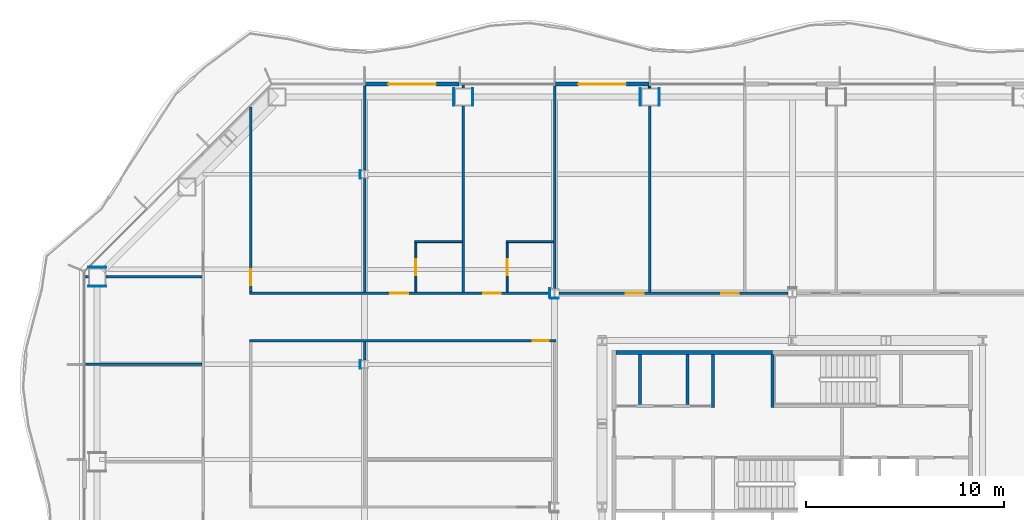
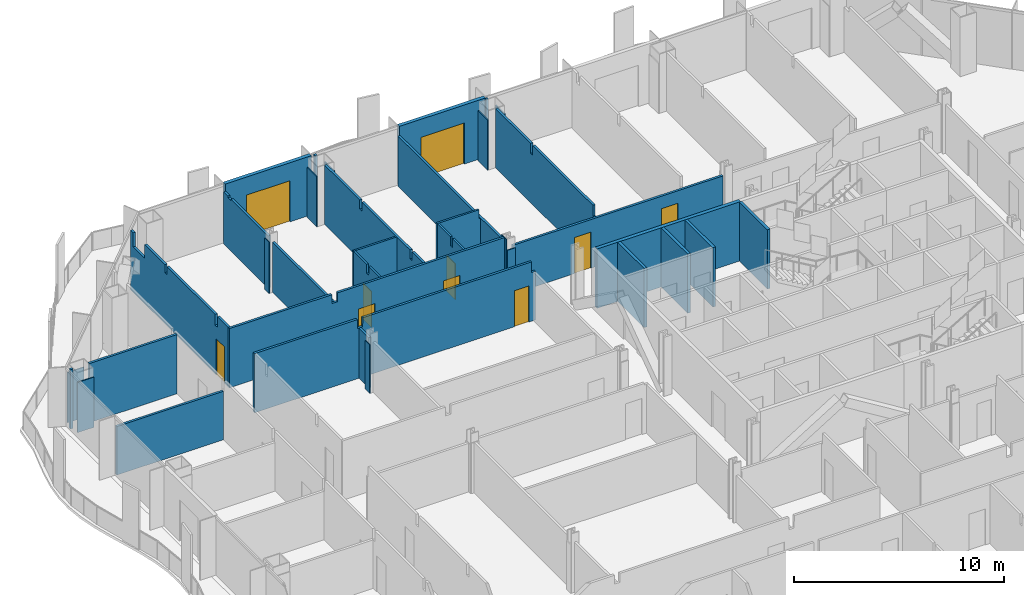
# One storey, part 12 of 18: 36 walls, 10 doors, 10 openings.
"""IFC4 building model written with IfcOpenShell, lengths in metres."""

from ifc_helpers import new_model, si_unit, direction, frame, frame_2d, origin, place, context, subcontext, project, spatial, polyline, rectangle, outline, extrude, material, layer, layer_set, type_object, element, fill, save


model = new_model("IFC4")

# Units and contexts
model_context = context("Model", 3, precision=1e-05, world=origin(), true_north=direction((0.0, 1.0)))
body_context = subcontext(model_context, "Body", "Model", "MODEL_VIEW")
ifc_project = project(units=[si_unit("LENGTHUNIT", "METRE"), si_unit("AREAUNIT", "SQUARE_METRE"), si_unit("VOLUMEUNIT", "CUBIC_METRE"), si_unit("PLANEANGLEUNIT", "RADIAN"), si_unit("MASSUNIT", "GRAM", prefix="KILO")], contexts=[model_context])

# Site, building, storey
site_placement = place(None, origin())
site = spatial("IfcSite", under=ifc_project, at=site_placement, CompositionType="ELEMENT")
building_placement = place(site_placement, origin())
building = spatial("IfcBuilding", under=site, at=building_placement, Name="Cairn Pilgrim Tower", CompositionType="ELEMENT")
storey_placement = place(building_placement, frame((0.0, 0.0, 65.39990234375)))
storey = spatial("IfcBuildingStorey", under=building, at=storey_placement, Name="L14", CompositionType="ELEMENT", Elevation=65.39990234375)

# Wall, opening, door
ifc_material_1 = material(Name="Bronze anodised aluminium insulated sandwich panel with mineral wool fill", Category="aluminium")
ifc_layer_1 = layer(ifc_material_1, 0.199951171875)
ifc_layer_set_1 = layer_set([ifc_layer_1], Name="BRONZE INFILL FRAME WALL 200")
wall_type_1 = type_object("IfcWallType", Name="BRONZE INFILL FRAME WALL 200", PredefinedType="NOTDEFINED", material=ifc_layer_set_1)
wall_1_placement = place(storey_placement, frame((-0.030029296875, 23.75, 0.0), z_axis=(0.0, 0.0, 1.0), x_axis=(-1.0, 0.0, 0.0)))
wall_1 = element("IfcWall", 1, at=wall_1_placement, inside=storey, type_object=wall_type_1, Name="Bronze infill frame wall IW-N5", PredefinedType="NOTDEFINED", context=body_context, shape_type="SweptSolid", body=[
    extrude(rectangle(XDim=4.739990234375, YDim=0.199951171875, at=frame_2d((2.3701171875, 0.0))), origin(), (0.0, 0.0, 1.0), 3.4501953125),
])
opening_1_placement = place(wall_1_placement, frame((1.169921875, 0.0, 0.0)))
opening_1 = element("IfcOpeningElement", 2, at=opening_1_placement, cuts=wall_1, Name="Opening 1418B", PredefinedType="OPENING", context=body_context, shape_type="SweptSolid", body=[
    extrude(rectangle(XDim=2.39990234375, YDim=2.39990234375, at=frame_2d((1.199951171875, 1.199951171875))), frame((0.0, 0.10986328125, 0.0), z_axis=(0.0, -1.0, 0.0), x_axis=(1.0, 0.0, 0.0)), (0.0, 0.0, 1.0), 0.219970703125),
])
ifc_material_2 = material(Name="Bronze anodised aluminium frame with tinted low-E glass", Category="aluminium")
door_type_1 = type_object("IfcDoorType", Name="BALCONY SLIDING DOOR 2400x2400", OperationType="DOUBLE_DOOR_SLIDING", PredefinedType="DOOR", material=ifc_material_2)
door_1_placement = place(opening_1_placement, origin())
door_1 = element("IfcDoor", 3, at=door_1_placement, inside=storey, type_object=door_type_1, Name="Balcony sliding door 1418B", OperationType="SINGLE_SWING_LEFT", OverallHeight=2.39990234375, OverallWidth=2.39990234375, PredefinedType="DOOR", context=body_context, shape_type="SweptSolid", body=[
    extrude(rectangle(XDim=2.39990234375, YDim=2.39990234375, at=frame_2d((1.199951171875, 1.199951171875))), frame((0.0, 0.02490234375, 0.0), z_axis=(0.0, -1.0, 0.0), x_axis=(1.0, 0.0, 0.0)), (0.0, 0.0, 1.0), 0.050048828125),
])
fill(opening_1, door_1)

wall_2_placement = place(storey_placement, frame((-9.6298828125, 23.75, 0.0), z_axis=(0.0, 0.0, 1.0), x_axis=(-1.0, 0.0, 0.0)))
wall_2 = element("IfcWall", 4, at=wall_2_placement, inside=storey, type_object=wall_type_1, Name="Bronze infill frame wall IW-N7", PredefinedType="NOTDEFINED", context=body_context, shape_type="SweptSolid", body=[
    extrude(rectangle(XDim=4.740234375, YDim=0.199951171875, at=frame_2d((2.3701171875, 0.0))), origin(), (0.0, 0.0, 1.0), 3.4501953125),
])
opening_2_placement = place(wall_2_placement, frame((1.169921875, 0.0, 0.0)))
opening_2 = element("IfcOpeningElement", 5, at=opening_2_placement, cuts=wall_2, Name="Opening 1416B", PredefinedType="OPENING", context=body_context, shape_type="SweptSolid", body=[
    extrude(rectangle(XDim=2.39990234375, YDim=2.39990234375, at=frame_2d((1.199951171875, 1.199951171875))), frame((0.0, 0.10986328125, 0.0), z_axis=(0.0, -1.0, 0.0), x_axis=(1.0, 0.0, 0.0)), (0.0, 0.0, 1.0), 0.219970703125),
])
door_2_placement = place(opening_2_placement, origin())
door_2 = element("IfcDoor", 6, at=door_2_placement, inside=storey, type_object=door_type_1, Name="Balcony sliding door 1416B", OperationType="SINGLE_SWING_LEFT", OverallHeight=2.39990234375, OverallWidth=2.39990234375, PredefinedType="DOOR", context=body_context, shape_type="SweptSolid", body=[
    extrude(rectangle(XDim=2.39990234375, YDim=2.39990234375, at=frame_2d((1.199951171875, 1.199951171875))), frame((0.0, 0.02490234375, 0.0), z_axis=(0.0, -1.0, 0.0), x_axis=(1.0, 0.0, 0.0)), (0.0, 0.0, 1.0), 0.050048828125),
])
fill(opening_2, door_2)

# Walls
ifc_material_3 = material(Name="Concrete C32/40", Category="concrete")
ifc_layer_2 = layer(ifc_material_3, 0.199951171875)
ifc_layer_set_2 = layer_set([ifc_layer_2], Name="CORE OUTER WALL 200 EI 120")
wall_type_2 = type_object("IfcWallType", Name="CORE OUTER WALL 200 EI 120", PredefinedType="SOLIDWALL", material=ifc_layer_set_2)
wall_3_placement = place(storey_placement, frame((-1.699951171875, 10.199951171875, 0.0), z_axis=(0.0, 0.0, 1.0), x_axis=(1.0, 0.0, 0.0)))
element("IfcWall", 7, at=wall_3_placement, inside=storey, type_object=wall_type_2, Name="CW:L14:H11-1", PredefinedType="SOLIDWALL", context=body_context, shape_type="SweptSolid", body=[
    extrude(rectangle(XDim=7.89990234375, YDim=0.199951171875, at=frame_2d((3.949951171875, 0.0))), origin(), (0.0, 0.0, 1.0), 3.4501953125),
])
ifc_layer_3 = layer(ifc_material_3, 0.14990234375)
ifc_layer_set_3 = layer_set([ifc_layer_3], Name="CORE PARTITION 150 EI 60")
wall_type_3 = type_object("IfcWallType", Name="CORE PARTITION 150 EI 60", PredefinedType="PARTITIONING", material=ifc_layer_set_3)
for number, where, z_axis, x_axis, name in (
    (8, (-0.5, 7.574951171875, 0.0), (0.0, 0.0, 1.0), (0.0, 1.0, 0.0), "CW:L14:V13"),
    (9, (1.89990234375, 7.574951171875, 0.0), (0.0, 0.0, 1.0), (0.0, 1.0, 0.0), "CW:L14:V17"),
):
    element("IfcWall", number, at=place(storey_placement, frame(where, z_axis=z_axis, x_axis=x_axis)), inside=storey, type_object=wall_type_3, Name=name, PredefinedType="PARTITIONING", context=body_context, shape_type="SweptSolid", body=[
        extrude(rectangle(XDim=2.525146484375, YDim=0.14990234375, at=frame_2d((1.2626953125, 0.0))), origin(), (0.0, 0.0, 1.0), 3.4501953125),
    ])
wall_4_placement = place(storey_placement, frame((3.199951171875, 7.425048828125, 0.0), z_axis=(0.0, 0.0, 1.0), x_axis=(0.0, 1.0, 0.0)))
element("IfcWall", 10, at=wall_4_placement, inside=storey, type_object=wall_type_3, Name="CW:L14:V21", PredefinedType="PARTITIONING", context=body_context, shape_type="SweptSolid", body=[
    extrude(rectangle(XDim=2.675048828125, YDim=0.14990234375, at=frame_2d((1.33740234375, 0.0))), origin(), (0.0, 0.0, 1.0), 3.4501953125),
])

# Wall, opening, door
ifc_material_4 = material(Name="Gypsum partition")
ifc_layer_4 = layer(ifc_material_4, 0.10009765625)
ifc_layer_set_4 = layer_set([ifc_layer_4], Name="PARTITION 100 DRYWALL")
wall_type_4 = type_object("IfcWallType", Name="PARTITION 100 DRYWALL", PredefinedType="PARTITIONING", material=ifc_layer_set_4)
wall_5_placement = place(storey_placement, frame((-11.81396484375, 13.262451171875, 0.0), z_axis=(0.0, 0.0, 1.0), x_axis=(0.0, 1.0, 0.0)))
wall_5 = element("IfcWall", 11, at=wall_5_placement, inside=storey, type_object=wall_type_4, Name="PARTITION W068", PredefinedType="PARTITIONING", context=body_context, shape_type="SweptSolid", body=[
    extrude(outline(polyline([(0.0, 0.0), (2.487548828125, 0.0), (2.487548828125, 3.4501953125), (1.237548828125, 3.4501953125), (1.235595703125, 2.93017578125), (1.03759765625, 2.93017578125), (1.035400390625, 3.4501953125), (0.0, 3.4501953125), (0.0, 0.0)])), frame((0.0, 0.050048828125, 0.0), z_axis=(0.0, -1.0, 0.0), x_axis=(1.0, 0.0, 0.0)), (0.0, 0.0, 1.0), 0.10009765625),
])
opening_3_placement = place(wall_5_placement, frame((0.83740234375, 0.0, 0.0)))
opening_3 = element("IfcOpeningElement", 12, at=opening_3_placement, cuts=wall_5, Name="Opening 1416E", PredefinedType="OPENING", context=body_context, shape_type="SweptSolid", body=[
    extrude(rectangle(XDim=0.800048828125, YDim=2.10009765625, at=frame_2d((0.39990234375, 1.050048828125))), frame((0.0, 0.06005859375, 0.0), z_axis=(0.0, -1.0, 0.0), x_axis=(1.0, 0.0, 0.0)), (0.0, 0.0, 1.0), 0.1201171875),
])
ifc_material_5 = material(Name="Timber door leaf", Category="wood")
door_type_2 = type_object("IfcDoorType", Name="DOOR 800x2100", OperationType="NOTDEFINED", PredefinedType="DOOR", material=ifc_material_5)
door_3_placement = place(opening_3_placement, frame((0.800048828125, 0.0, 0.0), z_axis=(0.0, 0.0, 1.0), x_axis=(-1.0, 0.0, 0.0)))
door_3 = element("IfcDoor", 13, at=door_3_placement, inside=storey, type_object=door_type_2, Name="DOOR 1416E", OperationType="SINGLE_SWING_RIGHT", OverallHeight=2.10009765625, OverallWidth=0.800048828125, PredefinedType="DOOR", context=body_context, shape_type="SweptSolid", body=[
    extrude(rectangle(XDim=0.800048828125, YDim=2.10009765625, at=frame_2d((0.39990234375, 1.050048828125))), frame((0.0, 0.02490234375, 0.0), z_axis=(0.0, -1.0, 0.0), x_axis=(1.0, 0.0, 0.0)), (0.0, 0.0, 1.0), 0.050048828125),
])
fill(opening_3, door_3)

wall_6_placement = place(storey_placement, frame((-7.199951171875, 13.262451171875, 0.0), z_axis=(0.0, 0.0, 1.0), x_axis=(0.0, 1.0, 0.0)))
wall_6 = element("IfcWall", 14, at=wall_6_placement, inside=storey, type_object=wall_type_4, Name="PARTITION W070", PredefinedType="PARTITIONING", context=body_context, shape_type="SweptSolid", body=[
    extrude(outline(polyline([(0.0, 0.0), (2.487548828125, 0.0), (2.487548828125, 3.4501953125), (1.237548828125, 3.4501953125), (1.235595703125, 2.93017578125), (1.03759765625, 2.93017578125), (1.035400390625, 3.4501953125), (0.0, 3.4501953125), (0.0, 0.0)])), frame((0.0, 0.050048828125, 0.0), z_axis=(0.0, -1.0, 0.0), x_axis=(1.0, 0.0, 0.0)), (0.0, 0.0, 1.0), 0.10009765625),
])
opening_4_placement = place(wall_6_placement, frame((0.83740234375, 0.0, 0.0)))
opening_4 = element("IfcOpeningElement", 15, at=opening_4_placement, cuts=wall_6, Name="Opening 1417E", PredefinedType="OPENING", context=body_context, shape_type="SweptSolid", body=[
    extrude(rectangle(XDim=0.800048828125, YDim=2.10009765625, at=frame_2d((0.39990234375, 1.050048828125))), frame((0.0, 0.06005859375, 0.0), z_axis=(0.0, -1.0, 0.0), x_axis=(1.0, 0.0, 0.0)), (0.0, 0.0, 1.0), 0.1201171875),
])
door_4_placement = place(opening_4_placement, frame((0.800048828125, 0.0, 0.0), z_axis=(0.0, 0.0, 1.0), x_axis=(-1.0, 0.0, 0.0)))
door_4 = element("IfcDoor", 16, at=door_4_placement, inside=storey, type_object=door_type_2, Name="DOOR 1417E", OperationType="SINGLE_SWING_RIGHT", OverallHeight=2.10009765625, OverallWidth=0.800048828125, PredefinedType="DOOR", context=body_context, shape_type="SweptSolid", body=[
    extrude(rectangle(XDim=0.800048828125, YDim=2.10009765625, at=frame_2d((0.39990234375, 1.050048828125))), frame((0.0, 0.02490234375, 0.0), z_axis=(0.0, -1.0, 0.0), x_axis=(1.0, 0.0, 0.0)), (0.0, 0.0, 1.0), 0.050048828125),
])
fill(opening_4, door_4)

# Walls
wall_7_placement = place(storey_placement, frame((-11.864013671875, 15.800048828125, 0.0), z_axis=(0.0, 0.0, 1.0), x_axis=(1.0, 0.0, 0.0)))
element("IfcWall", 17, at=wall_7_placement, inside=storey, type_object=wall_type_4, Name="PARTITION W079", PredefinedType="PARTITIONING", context=body_context, shape_type="SweptSolid", body=[
    extrude(rectangle(XDim=2.387451171875, YDim=0.10009765625, at=frame_2d((1.19384765625, 0.0))), origin(), (0.0, 0.0, 1.0), 3.4501953125),
])
wall_8_placement = place(storey_placement, frame((-7.25, 15.800048828125, 0.0), z_axis=(0.0, 0.0, 1.0), x_axis=(1.0, 0.0, 0.0)))
element("IfcWall", 18, at=wall_8_placement, inside=storey, type_object=wall_type_4, Name="PARTITION W080", PredefinedType="PARTITIONING", context=body_context, shape_type="SweptSolid", body=[
    extrude(outline(polyline([(0.0, 0.0), (2.387451171875, 0.0), (2.387451171875, 2.93017578125), (2.300048828125, 2.93017578125), (2.298095703125, 3.4501953125), (0.0, 3.4501953125), (0.0, 0.0)])), frame((0.0, 0.050048828125, 0.0), z_axis=(0.0, -1.0, 0.0), x_axis=(1.0, 0.0, 0.0)), (0.0, 0.0, 1.0), 0.10009765625),
])
ifc_layer_5 = layer(ifc_material_4, 0.125)
ifc_layer_set_5 = layer_set([ifc_layer_5], Name="PARTITION 125 DRYWALL EI 60")
wall_type_5 = type_object("IfcWallType", Name="PARTITION 125 DRYWALL EI 60", PredefinedType="PARTITIONING", material=ifc_layer_set_5)
wall_9_placement = place(storey_placement, frame((-28.489990234375, 9.60009765625, 0.0), z_axis=(0.0, 0.0, 1.0), x_axis=(1.0, 0.0, 0.0)))
element("IfcWall", 19, at=wall_9_placement, inside=storey, type_object=wall_type_5, Name="PARTITION W059", PredefinedType="PARTITIONING", context=body_context, shape_type="SweptSolid", body=[
    extrude(rectangle(XDim=5.87744140625, YDim=0.125, at=frame_2d((2.938720703125, 0.0))), origin(), (0.0, 0.0, 1.0), 2.830078125),
])
wall_10_placement = place(storey_placement, frame((-14.39990234375, 9.8125, 0.0), z_axis=(0.0, 0.0, 1.0), x_axis=(0.0, 1.0, 0.0)))
element("IfcWall", 20, at=wall_10_placement, inside=storey, type_object=wall_type_5, Name="PARTITION W061", PredefinedType="PARTITIONING", context=body_context, shape_type="SweptSolid", body=[
    extrude(rectangle(XDim=0.925048828125, YDim=0.125, at=frame_2d((0.46240234375, 0.0))), origin(), (0.0, 0.0, 1.0), 2.93017578125),
])

# Wall, opening, door
wall_11_placement = place(storey_placement, frame((-20.21240234375, 10.800048828125, 0.0), z_axis=(0.0, 0.0, 1.0), x_axis=(1.0, 0.0, 0.0)))
wall_11 = element("IfcWall", 21, at=wall_11_placement, inside=storey, type_object=wall_type_5, Name="PARTITION W062", PredefinedType="PARTITIONING", context=body_context, shape_type="SweptSolid", body=[
    extrude(outline(polyline([(0.0, 0.0), (15.474853515625, 0.0), (15.47509765625, 2.830078125), (15.262451171875, 2.830078125), (15.260498046875, 3.4501953125), (5.96240234375, 3.4501953125), (5.96044921875, 2.93017578125), (5.66259765625, 2.93017578125), (5.660400390625, 3.4501953125), (0.0, 3.4501953125), (0.0, 0.0)])), frame((0.0, 0.0625, 0.0), z_axis=(0.0, -1.0, 0.0), x_axis=(1.0, 0.0, 0.0)), (0.0, 0.0, 1.0), 0.125),
])
opening_5_placement = place(wall_11_placement, frame((14.3125, 0.0, 0.0)))
opening_5 = element("IfcOpeningElement", 22, at=opening_5_placement, cuts=wall_11, Name="Opening 1432", PredefinedType="OPENING", context=body_context, shape_type="SweptSolid", body=[
    extrude(rectangle(XDim=0.800048828125, YDim=2.10009765625, at=frame_2d((0.39990234375, 1.050048828125))), frame((0.0, 0.072509765625, 0.0), z_axis=(0.0, -1.0, 0.0), x_axis=(1.0, 0.0, 0.0)), (0.0, 0.0, 1.0), 0.14501953125),
])
ifc_material_6 = material(Name="Steel-faced fire door leaf", Category="steel")
door_type_3 = type_object("IfcDoorType", Name="FIRE DOOR 800x2100 FD30S", OperationType="NOTDEFINED", PredefinedType="DOOR", material=ifc_material_6)
door_5_placement = place(opening_5_placement, frame((0.800048828125, 0.0, 0.0), z_axis=(0.0, 0.0, 1.0), x_axis=(-1.0, 0.0, 0.0)))
door_5 = element("IfcDoor", 23, at=door_5_placement, inside=storey, type_object=door_type_3, Name="DOOR 1432", OperationType="SINGLE_SWING_LEFT", OverallHeight=2.10009765625, OverallWidth=0.800048828125, PredefinedType="DOOR", context=body_context, shape_type="SweptSolid", body=[
    extrude(rectangle(XDim=0.800048828125, YDim=2.10009765625, at=frame_2d((0.39990234375, 1.050048828125))), frame((0.0, 0.02490234375, 0.0), z_axis=(0.0, -1.0, 0.0), x_axis=(1.0, 0.0, 0.0)), (0.0, 0.0, 1.0), 0.050048828125),
])
fill(opening_5, door_5)

# Wall, openings, doors
wall_12_placement = place(storey_placement, frame((-20.21240234375, 13.199951171875, 0.0), z_axis=(0.0, 0.0, 1.0), x_axis=(1.0, 0.0, 0.0)))
wall_12 = element("IfcWall", 24, at=wall_12_placement, inside=storey, type_object=wall_type_5, Name="PARTITION W063", PredefinedType="PARTITIONING", context=body_context, shape_type="SweptSolid", body=[
    extrude(outline(polyline([(0.0, 0.0), (15.200439453125, 0.0), (15.200439453125, 3.4501953125), (5.96240234375, 3.4501953125), (5.96044921875, 2.93017578125), (5.66259765625, 2.93017578125), (5.660400390625, 3.4501953125), (0.0, 3.4501953125), (0.0, 0.0)])), frame((0.0, 0.0625, 0.0), z_axis=(0.0, -1.0, 0.0), x_axis=(1.0, 0.0, 0.0)), (0.0, 0.0, 1.0), 0.125),
])
opening_6_placement = place(wall_12_placement, frame((7.112548828125, 0.0, 0.0)))
opening_6 = element("IfcOpeningElement", 25, at=opening_6_placement, cuts=wall_12, Name="Opening 1416", PredefinedType="OPENING", context=body_context, shape_type="SweptSolid", body=[
    extrude(rectangle(XDim=0.89990234375, YDim=2.10009765625, at=frame_2d((0.449951171875, 1.050048828125))), frame((0.0, 0.072509765625, 0.0), z_axis=(0.0, -1.0, 0.0), x_axis=(1.0, 0.0, 0.0)), (0.0, 0.0, 1.0), 0.14501953125),
])
opening_7_placement = place(wall_12_placement, frame((11.798583984375, 0.0, 0.0)))
opening_7 = element("IfcOpeningElement", 26, at=opening_7_placement, cuts=wall_12, Name="Opening 1417", PredefinedType="OPENING", context=body_context, shape_type="SweptSolid", body=[
    extrude(rectangle(XDim=0.89990234375, YDim=2.10009765625, at=frame_2d((0.449951171875, 1.050048828125))), frame((0.0, 0.072509765625, 0.0), z_axis=(0.0, -1.0, 0.0), x_axis=(1.0, 0.0, 0.0)), (0.0, 0.0, 1.0), 0.14501953125),
])
door_type_4 = type_object("IfcDoorType", Name="FIRE DOOR 900x2100 FD30S", OperationType="NOTDEFINED", PredefinedType="DOOR", material=ifc_material_6)
door_6_placement = place(opening_6_placement, origin())
door_6 = element("IfcDoor", 27, at=door_6_placement, inside=storey, type_object=door_type_4, Name="DOOR 1416", OperationType="SINGLE_SWING_LEFT", OverallHeight=2.10009765625, OverallWidth=0.89990234375, PredefinedType="DOOR", context=body_context, shape_type="SweptSolid", body=[
    extrude(rectangle(XDim=0.89990234375, YDim=2.10009765625, at=frame_2d((0.449951171875, 1.050048828125))), frame((0.0, 0.02490234375, 0.0), z_axis=(0.0, -1.0, 0.0), x_axis=(1.0, 0.0, 0.0)), (0.0, 0.0, 1.0), 0.050048828125),
])
fill(opening_6, door_6)
door_7_placement = place(opening_7_placement, origin())
door_7 = element("IfcDoor", 28, at=door_7_placement, inside=storey, type_object=door_type_4, Name="DOOR 1417", OperationType="SINGLE_SWING_LEFT", OverallHeight=2.10009765625, OverallWidth=0.89990234375, PredefinedType="DOOR", context=body_context, shape_type="SweptSolid", body=[
    extrude(rectangle(XDim=0.89990234375, YDim=2.10009765625, at=frame_2d((0.449951171875, 1.050048828125))), frame((0.0, 0.02490234375, 0.0), z_axis=(0.0, -1.0, 0.0), x_axis=(1.0, 0.0, 0.0)), (0.0, 0.0, 1.0), 0.050048828125),
])
fill(opening_7, door_7)

wall_13_placement = place(storey_placement, frame((-4.587890625, 13.199951171875, 0.0), z_axis=(0.0, 0.0, 1.0), x_axis=(1.0, 0.0, 0.0)))
wall_13 = element("IfcWall", 29, at=wall_13_placement, inside=storey, type_object=wall_type_5, Name="PARTITION W064", PredefinedType="PARTITIONING", context=body_context, shape_type="SweptSolid", body=[
    extrude(rectangle(XDim=11.575927734375, YDim=0.125, at=frame_2d((5.7880859375, 0.0))), origin(), (0.0, 0.0, 1.0), 2.830078125),
])
opening_8_placement = place(wall_13_placement, frame((3.387939453125, 0.0, 0.0)))
opening_8 = element("IfcOpeningElement", 30, at=opening_8_placement, cuts=wall_13, Name="Opening 1418", PredefinedType="OPENING", context=body_context, shape_type="SweptSolid", body=[
    extrude(rectangle(XDim=0.89990234375, YDim=2.10009765625, at=frame_2d((0.449951171875, 1.050048828125))), frame((0.0, 0.072509765625, 0.0), z_axis=(0.0, -1.0, 0.0), x_axis=(1.0, 0.0, 0.0)), (0.0, 0.0, 1.0), 0.14501953125),
])
opening_9_placement = place(wall_13_placement, frame((8.18798828125, 0.0, 0.0)))
opening_9 = element("IfcOpeningElement", 31, at=opening_9_placement, cuts=wall_13, Name="Opening 1419", PredefinedType="OPENING", context=body_context, shape_type="SweptSolid", body=[
    extrude(rectangle(XDim=0.89990234375, YDim=2.10009765625, at=frame_2d((0.449951171875, 1.050048828125))), frame((0.0, 0.072509765625, 0.0), z_axis=(0.0, -1.0, 0.0), x_axis=(1.0, 0.0, 0.0)), (0.0, 0.0, 1.0), 0.14501953125),
])
door_8_placement = place(opening_8_placement, origin())
door_8 = element("IfcDoor", 32, at=door_8_placement, inside=storey, type_object=door_type_4, Name="DOOR 1418", OperationType="SINGLE_SWING_LEFT", OverallHeight=2.10009765625, OverallWidth=0.89990234375, PredefinedType="DOOR", context=body_context, shape_type="SweptSolid", body=[
    extrude(rectangle(XDim=0.89990234375, YDim=2.10009765625, at=frame_2d((0.449951171875, 1.050048828125))), frame((0.0, 0.02490234375, 0.0), z_axis=(0.0, -1.0, 0.0), x_axis=(1.0, 0.0, 0.0)), (0.0, 0.0, 1.0), 0.050048828125),
])
fill(opening_8, door_8)
door_9_placement = place(opening_9_placement, origin())
door_9 = element("IfcDoor", 33, at=door_9_placement, inside=storey, type_object=door_type_4, Name="DOOR 1419", OperationType="SINGLE_SWING_RIGHT", OverallHeight=2.10009765625, OverallWidth=0.89990234375, PredefinedType="DOOR", context=body_context, shape_type="SweptSolid", body=[
    extrude(rectangle(XDim=0.89990234375, YDim=2.10009765625, at=frame_2d((0.449951171875, 1.050048828125))), frame((0.0, 0.02490234375, 0.0), z_axis=(0.0, -1.0, 0.0), x_axis=(1.0, 0.0, 0.0)), (0.0, 0.0, 1.0), 0.050048828125),
])
fill(opening_9, door_9)

# Wall, opening, door
wall_14_placement = place(storey_placement, frame((-20.14990234375, 13.262451171875, 0.0), z_axis=(0.0, 0.0, 1.0), x_axis=(0.0, 1.0, 0.0)))
wall_14 = element("IfcWall", 34, at=wall_14_placement, inside=storey, type_object=wall_type_5, Name="PARTITION W066", PredefinedType="PARTITIONING", context=body_context, shape_type="SweptSolid", body=[
    extrude(outline(polyline([(0.0, 0.0), (9.326171875, 0.0), (9.326171875, 3.4501953125), (9.072265625, 3.4501953125), (9.0703125, 2.630126953125), (7.957275390625, 2.630126953125), (7.955078125, 3.4501953125), (6.032470703125, 3.4501953125), (6.030517578125, 2.97998046875), (5.842529296875, 2.97998046875), (5.840576171875, 3.4501953125), (1.24755859375, 3.4501953125), (1.24560546875, 2.830078125), (1.027587890625, 2.830078125), (1.025390625, 3.4501953125), (0.0, 3.4501953125), (0.0, 0.0)])), frame((0.0, 0.0625, 0.0), z_axis=(0.0, -1.0, 0.0), x_axis=(1.0, 0.0, 0.0)), (0.0, 0.0, 1.0), 0.125),
])
opening_10_placement = place(wall_14_placement, frame((0.33349609375, 0.0, 0.0)))
opening_10 = element("IfcOpeningElement", 35, at=opening_10_placement, cuts=wall_14, Name="Opening 1415", PredefinedType="OPENING", context=body_context, shape_type="SweptSolid", body=[
    extrude(rectangle(XDim=0.800048828125, YDim=2.10009765625, at=frame_2d((0.39990234375, 1.050048828125))), frame((0.0, 0.072509765625, 0.0), z_axis=(0.0, -1.0, 0.0), x_axis=(1.0, 0.0, 0.0)), (0.0, 0.0, 1.0), 0.14501953125),
])
door_10_placement = place(opening_10_placement, frame((0.800048828125, 0.0, 0.0), z_axis=(0.0, 0.0, 1.0), x_axis=(-1.0, 0.0, 0.0)))
door_10 = element("IfcDoor", 36, at=door_10_placement, inside=storey, type_object=door_type_3, Name="DOOR 1415", OperationType="SINGLE_SWING_RIGHT", OverallHeight=2.10009765625, OverallWidth=0.800048828125, PredefinedType="DOOR", context=body_context, shape_type="SweptSolid", body=[
    extrude(rectangle(XDim=0.800048828125, YDim=2.10009765625, at=frame_2d((0.39990234375, 1.050048828125))), frame((0.0, 0.02490234375, 0.0), z_axis=(0.0, -1.0, 0.0), x_axis=(1.0, 0.0, 0.0)), (0.0, 0.0, 1.0), 0.050048828125),
])
fill(opening_10, door_10)

# Walls
wall_15_placement = place(storey_placement, frame((-14.39990234375, 13.262451171875, 0.0), z_axis=(0.0, 0.0, 1.0), x_axis=(0.0, 1.0, 0.0)))
element("IfcWall", 37, at=wall_15_placement, inside=storey, type_object=wall_type_5, Name="PARTITION W067", PredefinedType="PARTITIONING", context=body_context, shape_type="SweptSolid", body=[
    extrude(rectangle(XDim=5.72509765625, YDim=0.125, at=frame_2d((2.862548828125, 0.0))), origin(), (0.0, 0.0, 1.0), 2.93017578125),
])
wall_16_placement = place(storey_placement, frame((-9.4140625, 13.262451171875, 0.0), z_axis=(0.0, 0.0, 1.0), x_axis=(0.0, 1.0, 0.0)))
element("IfcWall", 38, at=wall_16_placement, inside=storey, type_object=wall_type_5, Name="PARTITION W069", PredefinedType="PARTITIONING", context=body_context, shape_type="SweptSolid", body=[
    extrude(outline(polyline([(0.0, 0.0), (9.387451171875, 0.0), (9.387451171875, 3.4501953125), (6.03759765625, 3.4501953125), (6.035400390625, 2.93017578125), (5.83740234375, 2.93017578125), (5.83544921875, 3.4501953125), (1.237548828125, 3.4501953125), (1.235595703125, 2.93017578125), (1.03759765625, 2.93017578125), (1.035400390625, 3.4501953125), (0.0, 3.4501953125), (0.0, 0.0)])), frame((0.0, 0.0625, 0.0), z_axis=(0.0, -1.0, 0.0), x_axis=(1.0, 0.0, 0.0)), (0.0, 0.0, 1.0), 0.125),
])
wall_17_placement = place(storey_placement, frame((0.0, 13.262451171875, 0.0), z_axis=(0.0, 0.0, 1.0), x_axis=(0.0, 1.0, 0.0)))
element("IfcWall", 39, at=wall_17_placement, inside=storey, type_object=wall_type_5, Name="PARTITION W071", PredefinedType="PARTITIONING", context=body_context, shape_type="SweptSolid", body=[
    extrude(outline(polyline([(0.0, 0.0), (9.387451171875, 0.0), (9.387451171875, 3.4501953125), (6.04248046875, 3.4501953125), (6.04052734375, 2.880126953125), (5.83251953125, 2.880126953125), (5.83056640625, 3.4501953125), (0.08740234375, 3.4501953125), (0.08544921875, 2.830078125), (0.0, 2.830078125), (0.0, 0.0)])), frame((0.0, 0.0625, 0.0), z_axis=(0.0, -1.0, 0.0), x_axis=(1.0, 0.0, 0.0)), (0.0, 0.0, 1.0), 0.125),
])
wall_18_placement = place(storey_placement, frame((-4.800048828125, 13.43701171875, 0.0), z_axis=(0.0, 0.0, 1.0), x_axis=(0.0, 1.0, 0.0)))
element("IfcWall", 40, at=wall_18_placement, inside=storey, type_object=wall_type_5, Name="PARTITION W075", PredefinedType="PARTITIONING", context=body_context, shape_type="SweptSolid", body=[
    extrude(rectangle(XDim=10.212890625, YDim=0.125, at=frame_2d((5.1064453125, 0.0))), origin(), (0.0, 0.0, 1.0), 2.93017578125),
])
wall_19_placement = place(storey_placement, frame((-28.5029296875, 14.027099609375, 0.0), z_axis=(0.0, 0.0, 1.0), x_axis=(1.0, 0.0, 0.0)))
element("IfcWall", 41, at=wall_19_placement, inside=storey, type_object=wall_type_5, Name="PARTITION W077", PredefinedType="PARTITIONING", context=body_context, shape_type="SweptSolid", body=[
    extrude(rectangle(XDim=0.15283203125, YDim=0.125, at=frame_2d((0.076416015625, 0.0))), origin(), (0.0, 0.0, 1.0), 3.4501953125),
])
wall_20_placement = place(storey_placement, frame((-27.449951171875, 14.027099609375, 0.0), z_axis=(0.0, 0.0, 1.0), x_axis=(1.0, 0.0, 0.0)))
element("IfcWall", 42, at=wall_20_placement, inside=storey, type_object=wall_type_5, Name="PARTITION W078", PredefinedType="PARTITIONING", context=body_context, shape_type="SweptSolid", body=[
    extrude(rectangle(XDim=4.83740234375, YDim=0.125, at=frame_2d((2.418701171875, 0.0))), origin(), (0.0, 0.0, 1.0), 3.4501953125),
])
wall_21_placement = place(storey_placement, frame((-14.39990234375, 19.41259765625, 0.0), z_axis=(0.0, 0.0, 1.0), x_axis=(0.0, 1.0, 0.0)))
element("IfcWall", 43, at=wall_21_placement, inside=storey, type_object=wall_type_5, Name="PARTITION W081", PredefinedType="PARTITIONING", context=body_context, shape_type="SweptSolid", body=[
    extrude(outline(polyline([(0.0, 0.0), (4.2373046875, 0.0), (4.237548828125, 3.030029296875), (3.83740234375, 3.030029296875), (3.83544921875, 2.93017578125), (3.53759765625, 2.93017578125), (3.535400390625, 3.030029296875), (0.0, 3.030029296875), (0.0, 0.0)])), frame((0.0, 0.0625, 0.0), z_axis=(0.0, -1.0, 0.0), x_axis=(1.0, 0.0, 0.0)), (0.0, 0.0, 1.0), 0.125),
])
wall_22_placement = place(storey_placement, frame((-9.4140625, 23.550048828125, 0.0), z_axis=(0.0, 0.0, 1.0), x_axis=(0.0, 1.0, 0.0)))
element("IfcWall", 44, at=wall_22_placement, inside=storey, type_object=wall_type_5, Name="PARTITION W082", PredefinedType="PARTITIONING", context=body_context, shape_type="SweptSolid", body=[
    extrude(rectangle(XDim=0.15283203125, YDim=0.125, at=frame_2d((0.076416015625, 0.0))), origin(), (0.0, 0.0, 1.0), 3.4501953125),
])
wall_23_placement = place(storey_placement, frame((0.0, 23.550048828125, 0.0), z_axis=(0.0, 0.0, 1.0), x_axis=(0.0, 1.0, 0.0)))
element("IfcWall", 45, at=wall_23_placement, inside=storey, type_object=wall_type_5, Name="PARTITION W083", PredefinedType="PARTITIONING", context=body_context, shape_type="SweptSolid", body=[
    extrude(rectangle(XDim=0.099853515625, YDim=0.125, at=frame_2d((0.0498046875, 0.0))), origin(), (0.0, 0.0, 1.0), 3.4501953125),
])
ifc_layer_6 = layer(ifc_material_4, 0.050048828125)
ifc_layer_set_6 = layer_set([ifc_layer_6], Name="PARTITION 50 DRYWALL EI 60")
wall_type_6 = type_object("IfcWallType", Name="PARTITION 50 DRYWALL EI 60", PredefinedType="PARTITIONING", material=ifc_layer_set_6)
wall_24_placement = place(storey_placement, frame((-14.62939453125, 9.387451171875, 0.0), z_axis=(0.0, 0.0, 1.0), x_axis=(0.0, 1.0, 0.0)))
element("IfcWall", 46, at=wall_24_placement, inside=storey, type_object=wall_type_6, Name="COLUMN CASING WC24", PredefinedType="PARTITIONING", context=body_context, shape_type="SweptSolid", body=[
    extrude(rectangle(XDim=0.425048828125, YDim=0.050048828125, at=frame_2d((0.21240234375, 0.0))), origin(), (0.0, 0.0, 1.0), 2.830078125),
])
wall_25_placement = place(storey_placement, frame((-5.011962890625, 12.93798828125, 0.0), z_axis=(0.0, 0.0, 1.0), x_axis=(1.0, 0.0, 0.0)))
element("IfcWall", 47, at=wall_25_placement, inside=storey, type_object=wall_type_6, Name="COLUMN CASING WC30", PredefinedType="PARTITIONING", context=body_context, shape_type="SweptSolid", body=[
    extrude(rectangle(XDim=0.424072265625, YDim=0.050048828125, at=frame_2d((0.2119140625, 0.0))), origin(), (0.0, 0.0, 1.0), 2.830078125),
])
wall_26_placement = place(storey_placement, frame((-14.62939453125, 18.987548828125, 0.0), z_axis=(0.0, 0.0, 1.0), x_axis=(0.0, 1.0, 0.0)))
element("IfcWall", 48, at=wall_26_placement, inside=storey, type_object=wall_type_6, Name="COLUMN CASING WC34", PredefinedType="PARTITIONING", context=body_context, shape_type="SweptSolid", body=[
    extrude(rectangle(XDim=0.425048828125, YDim=0.050048828125, at=frame_2d((0.21240234375, 0.0))), origin(), (0.0, 0.0, 1.0), 2.97998046875),
])
for number, where, z_axis, x_axis, name in (
    (49, (-9.888671875, 22.64990234375, 0.0), (0.0, 0.0, 1.0), (0.0, 1.0, 0.0), "COLUMN CASING WC35"),
    (50, (-8.938720703125, 22.64990234375, 0.0), (0.0, 0.0, 1.0), (0.0, 1.0, 0.0), "COLUMN CASING WC36"),
):
    element("IfcWall", number, at=place(storey_placement, frame(where, z_axis=z_axis, x_axis=x_axis)), inside=storey, type_object=wall_type_6, Name=name, PredefinedType="PARTITIONING", context=body_context, shape_type="SweptSolid", body=[
        extrude(rectangle(XDim=0.900146484375, YDim=0.050048828125, at=frame_2d((0.4501953125, 0.0))), origin(), (0.0, 0.0, 1.0), 2.93017578125),
    ])
wall_27_placement = place(storey_placement, frame((-5.037109375, 12.962890625, 0.0), z_axis=(0.0, 0.0, 1.0), x_axis=(0.0, 1.0, 0.0)))
element("IfcWall", 51, at=wall_27_placement, inside=storey, type_object=wall_type_6, Name="COLUMN CASING WC37", PredefinedType="PARTITIONING", context=body_context, shape_type="SweptSolid", body=[
    extrude(rectangle(XDim=0.47412109375, YDim=0.050048828125, at=frame_2d((0.237060546875, 0.0))), origin(), (0.0, 0.0, 1.0), 3.4501953125),
])
for number, where, z_axis, x_axis, name in (
    (52, (-0.47509765625, 22.64990234375, 0.0), (0.0, 0.0, 1.0), (0.0, 1.0, 0.0), "COLUMN CASING WC38"),
    (53, (0.47509765625, 22.64990234375, 0.0), (0.0, 0.0, 1.0), (0.0, 1.0, 0.0), "COLUMN CASING WC39"),
    (54, (-28.35009765625, 14.502197265625, 0.0), (0.0, 0.0, 1.0), (1.0, 0.0, 0.0), "COLUMN CASING WC42"),
    (55, (-28.35009765625, 13.55224609375, 0.0), (0.0, 0.0, 1.0), (1.0, 0.0, 0.0), "COLUMN CASING WC43"),
):
    element("IfcWall", number, at=place(storey_placement, frame(where, z_axis=z_axis, x_axis=x_axis)), inside=storey, type_object=wall_type_6, Name=name, PredefinedType="PARTITIONING", context=body_context, shape_type="SweptSolid", body=[
        extrude(rectangle(XDim=0.900146484375, YDim=0.050048828125, at=frame_2d((0.4501953125, 0.0))), origin(), (0.0, 0.0, 1.0), 2.93017578125),
    ])
ifc_material_7 = material(Name="Concrete C35/45", Category="concrete")
ifc_layer_7 = layer(ifc_material_7, 0.14990234375)
ifc_layer_set_7 = layer_set([ifc_layer_7], Name="STAIR SHAFT WALL 150 EI 120")
wall_type_7 = type_object("IfcWallType", Name="STAIR SHAFT WALL 150 EI 120", PredefinedType="SOLIDWALL", material=ifc_layer_set_7)
wall_28_placement = place(storey_placement, frame((6.199951171875, 7.425048828125, 0.0), z_axis=(0.0, 0.0, 1.0), x_axis=(0.0, 1.0, 0.0)))
element("IfcWall", 56, at=wall_28_placement, inside=storey, type_object=wall_type_7, Name="CW:L14:V24", PredefinedType="SOLIDWALL", context=body_context, shape_type="SweptSolid", body=[
    extrude(rectangle(XDim=2.675048828125, YDim=0.14990234375, at=frame_2d((1.33740234375, 0.0))), origin(), (0.0, 0.0, 1.0), 3.4501953125),
])

save(model, "model.ifc")
